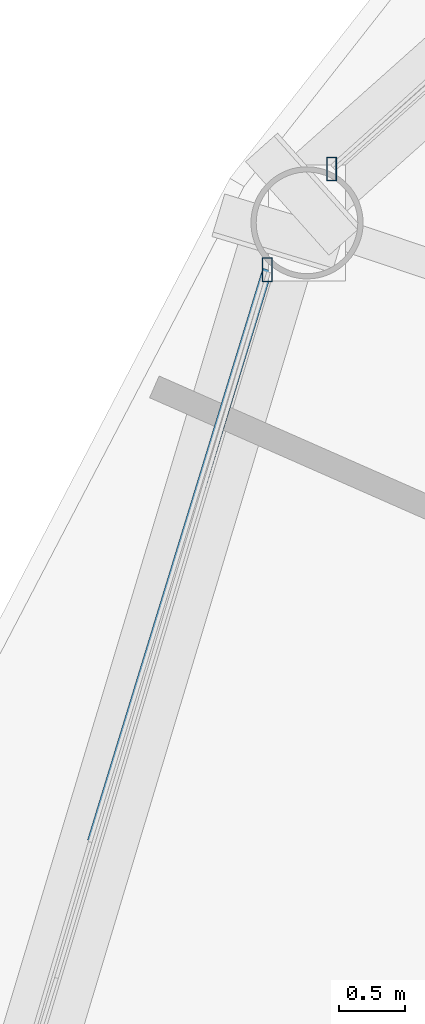
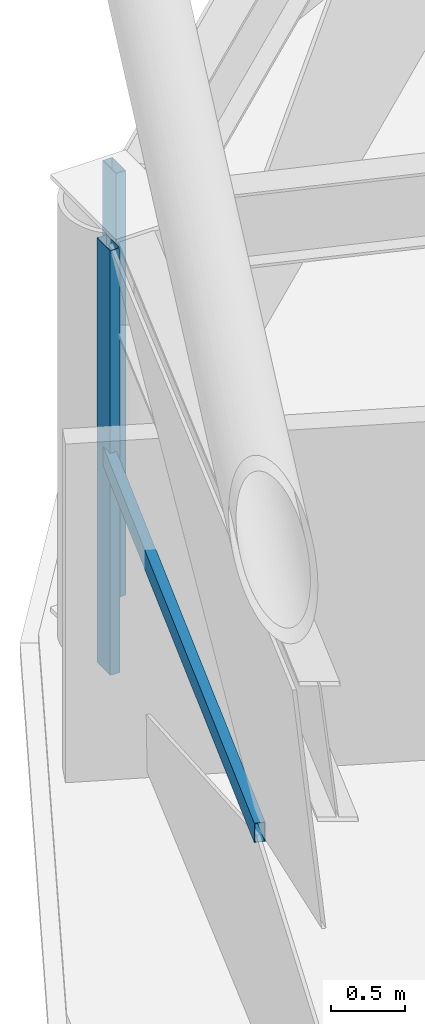
# One storey, part 13 of 30: 3 members, 2 elements without a shape of their own.
"""IFC4 building model written with IfcOpenShell, lengths in metres."""

from ifc_helpers import new_model, si_unit, direction, frame, origin, origin_2d, place, context, subcontext, project, spatial, hollow_rectangle, extrude, material, layer, layer_set, material_profile, profile_set, type_object, element, aggregate, save


model = new_model("IFC4")

# Units and contexts
model_context = context("Model", 3, precision=1e-05, world=origin(), true_north=direction((0.0, 1.0)))
body_context = subcontext(model_context, "Body", "Model", "MODEL_VIEW")
ifc_project = project(units=[si_unit("LENGTHUNIT", "METRE"), si_unit("AREAUNIT", "SQUARE_METRE"), si_unit("VOLUMEUNIT", "CUBIC_METRE"), si_unit("PLANEANGLEUNIT", "RADIAN"), si_unit("MASSUNIT", "GRAM", prefix="KILO")], contexts=[model_context])

# Site, building, storey
site_placement = place(None, origin())
site = spatial("IfcSite", under=ifc_project, at=site_placement, CompositionType="ELEMENT")
building_placement = place(site_placement, origin())
building = spatial("IfcBuilding", under=site, at=building_placement, Name="Vantalir Tower", CompositionType="ELEMENT")
storey_placement = place(building_placement, frame((0.0, 0.0, 57.0)))
storey = spatial("IfcBuildingStorey", under=building, at=storey_placement, Name="L13", CompositionType="ELEMENT", Elevation=57.0)

# Curtain wall, member
ifc_material_1 = material(Name="Champagne-silver PVDF aluminium and double-silver Low-E glass", Category="aluminium")
ifc_layer = layer(ifc_material_1, 0.18994140625)
ifc_layer_set = layer_set([ifc_layer], Name="Champagne-silver PVDF aluminium and double-silver Low-E glass")
curtain_wall_type = type_object("IfcCurtainWallType", Name="CW-DIAMOND-Z1", PredefinedType="USERDEFINED", material=ifc_layer_set)
curtain_wall_1_placement = place(storey_placement, origin())
curtain_wall_1 = element("IfcCurtainWall", 1, at=curtain_wall_1_placement, inside=storey, type_object=curtain_wall_type, Name="L13 Quilted Pyramid-Diamond Curtain Wall S05", ObjectType="UNITISED CURTAIN WALL", PredefinedType="USERDEFINED")
ifc_material_2 = material(Name="Champagne-silver PVDF aluminium 6063-T6", Category="aluminium")
ifc_material_profile_1 = material_profile(ifc_material_2, hollow_rectangle(XDim=0.074951171875, YDim=0.179931640625, WallThickness=0.00390625, at=origin_2d()), Name="Champagne-silver PVDF aluminium 6063-T6")
ifc_profile_set_1 = profile_set([ifc_material_profile_1], Name="Champagne-silver PVDF aluminium 6063-T6")
member_type_1 = type_object("IfcMemberType", Name="CWM-180x75", PredefinedType="MULLION", material=ifc_profile_set_1)
member_1_placement = place(storey_placement, frame((7.9130859375, 37.633056640625, 0.044921875), z_axis=(0.0, 0.0, 1.0), x_axis=(1.0, 0.0, 0.0)))
member_1 = element("IfcMember", 2, at=member_1_placement, type_object=member_type_1, Name="CW-L13-S05 Mullion 2", PredefinedType="MULLION", context=body_context, shape_type="SweptSolid", body=[
    extrude(hollow_rectangle(XDim=0.074951171875, YDim=0.179931640625, WallThickness=0.00390625, at=origin_2d()), origin(), (0.0, 0.0, 1.0), 3.47998046875),
])
aggregate(curtain_wall_1, [member_1])

# Curtain wall, members
curtain_wall_2_placement = place(storey_placement, origin())
curtain_wall_2 = element("IfcCurtainWall", 3, at=curtain_wall_2_placement, inside=storey, type_object=curtain_wall_type, Name="L13 Quilted Pyramid-Diamond Curtain Wall S06", ObjectType="UNITISED CURTAIN WALL", PredefinedType="USERDEFINED")
member_2_placement = place(storey_placement, frame((7.427001953125, 36.8701171875, 0.044921875), z_axis=(0.0, 0.0, 1.0), x_axis=(1.0, 0.0, 0.0)))
member_2 = element("IfcMember", 4, at=member_2_placement, type_object=member_type_1, Name="CW-L13-S06 Mullion 1", PredefinedType="MULLION", context=body_context, shape_type="SweptSolid", body=[
    extrude(hollow_rectangle(XDim=0.074951171875, YDim=0.179931640625, WallThickness=0.00390625, at=origin_2d()), origin(), (0.0, 0.0, 1.0), 3.47998046875),
])
ifc_material_profile_2 = material_profile(ifc_material_2, hollow_rectangle(XDim=0.074951171875, YDim=0.159912109375, WallThickness=0.00390625, at=origin_2d()), Name="Champagne-silver PVDF aluminium 6063-T6")
ifc_profile_set_2 = profile_set([ifc_material_profile_2], Name="Champagne-silver PVDF aluminium 6063-T6")
member_type_2 = type_object("IfcMemberType", Name="CWT-160x75", PredefinedType="USERDEFINED", material=ifc_profile_set_2)
member_3_placement = place(storey_placement, frame((7.427001953125, 36.8701171875, 1.784912109375), z_axis=(-0.293006776638, -0.956110364364, 0.0), x_axis=(0.956110364364, -0.293006776638, 0.0)))
member_3 = element("IfcMember", 5, at=member_3_placement, type_object=member_type_2, Name="CW-L13-S06 Pyramid Fold Ridge Transom", ObjectType="TRANSOM", PredefinedType="USERDEFINED", context=body_context, shape_type="SweptSolid", body=[
    extrude(hollow_rectangle(XDim=0.074951171875, YDim=0.159912109375, WallThickness=0.00390625, at=origin_2d()), origin(), (0.0, 0.0, 1.0), 4.531982421875),
])
aggregate(curtain_wall_2, [member_2, member_3])

save(model, "model.ifc")
